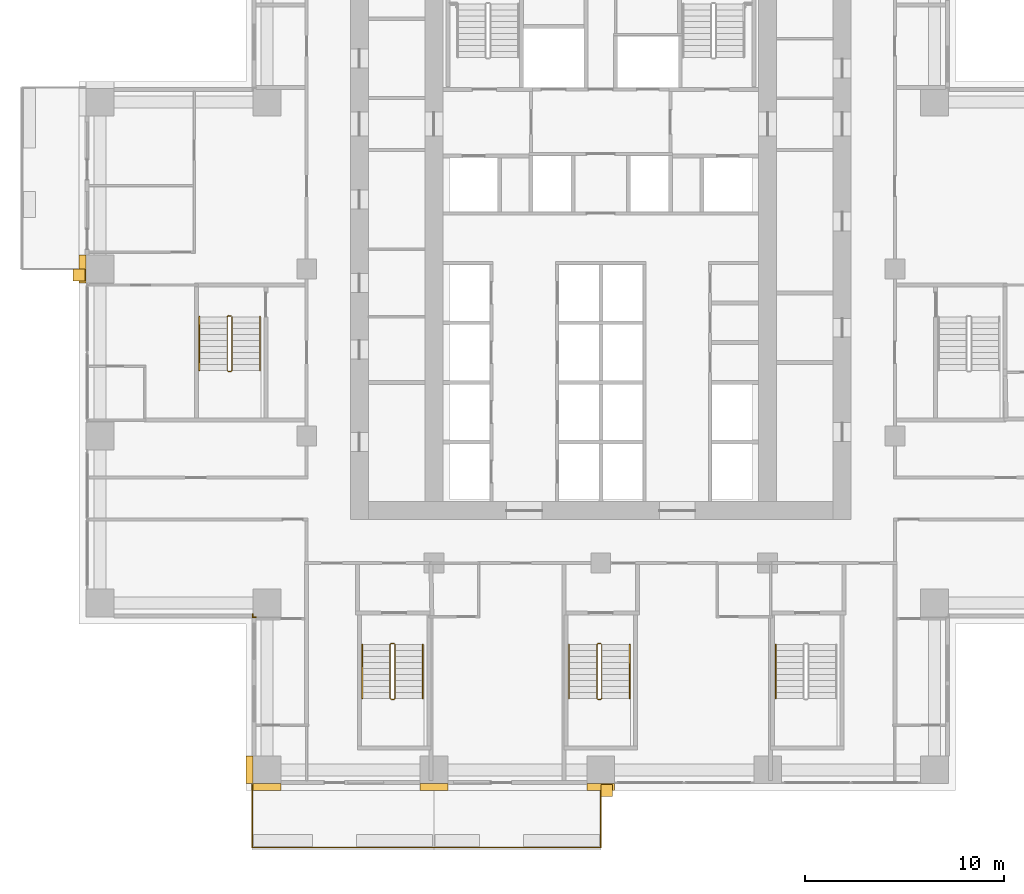
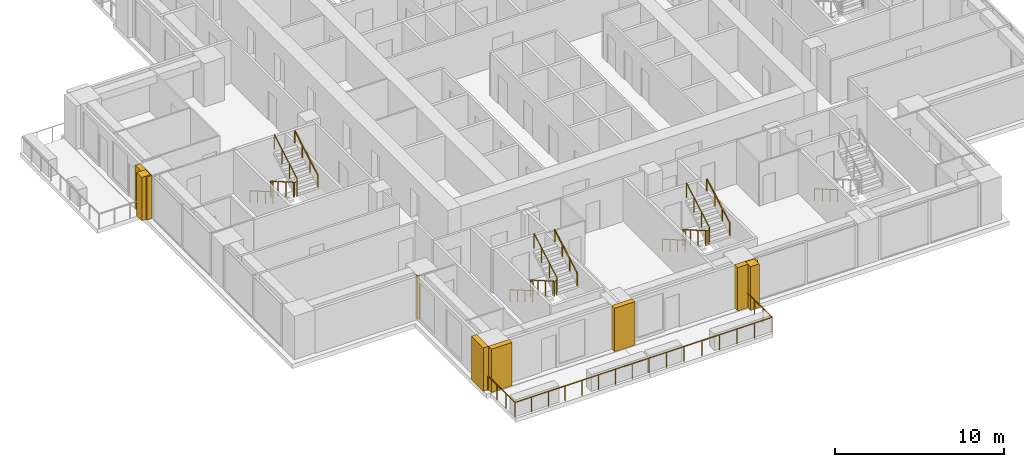
# One storey, part 13 of 16: 12 railings, 8 coverings.
"""IFC4 building model written with IfcOpenShell, lengths in metres."""

from ifc_helpers import new_model, si_unit, direction, frame, origin, origin_2d, place, context, subcontext, project, spatial, polyline, rectangle, outline, extrude, material, type_object, element, save


model = new_model("IFC4")

# Units and contexts
model_context = context("Model", 3, precision=1e-05, world=origin(), true_north=direction((0.0, 1.0)))
body_context = subcontext(model_context, "Body", "Model", "MODEL_VIEW")
ifc_project = project(units=[si_unit("LENGTHUNIT", "METRE"), si_unit("AREAUNIT", "SQUARE_METRE"), si_unit("VOLUMEUNIT", "CUBIC_METRE"), si_unit("PLANEANGLEUNIT", "RADIAN"), si_unit("MASSUNIT", "GRAM", prefix="KILO")], contexts=[model_context])

# Site, building, storey
site_placement = place(None, origin())
site = spatial("IfcSite", under=ifc_project, at=site_placement, CompositionType="ELEMENT")
building_placement = place(site_placement, origin())
building = spatial("IfcBuilding", under=site, at=building_placement, Name="Vermilion Ogive Tower", CompositionType="ELEMENT")
storey_placement = place(building_placement, frame((0.0, 0.0, 41.39990234375)))
storey = spatial("IfcBuildingStorey", under=building, at=storey_placement, Name="L08", CompositionType="ELEMENT", Elevation=41.39990234375)

# Railings
ifc_material_1 = material(Name="Stainless steel and glass", Category="steel")
railing_type_1 = type_object("IfcRailingType", Name="Balcony guard", PredefinedType="GUARDRAIL", material=ifc_material_1)
railing_1_placement = place(storey_placement, frame((-17.550048828125, -21.75, -0.039794921875)))
element("IfcRailing", 1, at=railing_1_placement, inside=storey, type_object=railing_type_1, Name="Guard S01", PredefinedType="GUARDRAIL", context=body_context, shape_type="SweptSolid", body=[
    extrude(rectangle(XDim=0.048095703125, YDim=0.048095703125, at=origin_2d()), frame((0.0, 0.0, 1.076171875), z_axis=(0.0, -1.0, 0.0), x_axis=(1.0, 0.0, 0.0)), (0.0, 0.0, 1.0), 3.159912109375),
    extrude(rectangle(XDim=0.048095703125, YDim=0.048095703125, at=origin_2d()), frame((0.0, -3.159912109375, 1.076171875), z_axis=(1.0, 0.0, 0.0), x_axis=(0.0, 1.0, 0.0)), (0.0, 0.0, 1.0), 9.150146484375),
    extrude(rectangle(XDim=0.0419921875, YDim=0.0419921875, at=origin_2d()), origin(), (0.0, 0.0, 1.0), 1.052001953125),
    extrude(rectangle(XDim=0.0419921875, YDim=0.0419921875, at=origin_2d()), frame((0.0, -1.05322265625, 0.0)), (0.0, 0.0, 1.0), 1.052001953125),
    extrude(rectangle(XDim=0.0419921875, YDim=0.0419921875, at=origin_2d()), frame((0.0, -2.106689453125, 0.0)), (0.0, 0.0, 1.0), 1.052001953125),
    extrude(rectangle(XDim=0.0419921875, YDim=0.0419921875, at=origin_2d()), frame((0.0, -3.159912109375, 0.0)), (0.0, 0.0, 1.0), 1.052001953125),
    extrude(rectangle(XDim=0.0419921875, YDim=0.0419921875, at=origin_2d()), frame((1.143798828125, -3.159912109375, 0.0)), (0.0, 0.0, 1.0), 1.052001953125),
    extrude(rectangle(XDim=0.0419921875, YDim=0.0419921875, at=origin_2d()), frame((2.28759765625, -3.159912109375, 0.0)), (0.0, 0.0, 1.0), 1.052001953125),
    extrude(rectangle(XDim=0.0419921875, YDim=0.0419921875, at=origin_2d()), frame((3.431396484375, -3.159912109375, 0.0)), (0.0, 0.0, 1.0), 1.052001953125),
    extrude(rectangle(XDim=0.0419921875, YDim=0.0419921875, at=origin_2d()), frame((4.5751953125, -3.159912109375, 0.0)), (0.0, 0.0, 1.0), 1.052001953125),
    extrude(rectangle(XDim=0.0419921875, YDim=0.0419921875, at=origin_2d()), frame((5.71875, -3.159912109375, 0.0)), (0.0, 0.0, 1.0), 1.052001953125),
    extrude(rectangle(XDim=0.0419921875, YDim=0.0419921875, at=origin_2d()), frame((6.862548828125, -3.159912109375, 0.0)), (0.0, 0.0, 1.0), 1.052001953125),
    extrude(rectangle(XDim=0.0419921875, YDim=0.0419921875, at=origin_2d()), frame((8.00634765625, -3.159912109375, 0.0)), (0.0, 0.0, 1.0), 1.052001953125),
    extrude(rectangle(XDim=0.0419921875, YDim=0.0419921875, at=origin_2d()), frame((9.150146484375, -3.159912109375, 0.0)), (0.0, 0.0, 1.0), 1.052001953125),
])
railing_2_placement = place(storey_placement, frame((-8.39990234375, -24.909912109375, -0.039794921875)))
element("IfcRailing", 2, at=railing_2_placement, inside=storey, type_object=railing_type_1, Name="Guard S02", PredefinedType="GUARDRAIL", context=body_context, shape_type="SweptSolid", body=[
    extrude(rectangle(XDim=0.048095703125, YDim=0.048095703125, at=origin_2d()), frame((0.0, 0.0, 1.076171875), z_axis=(1.0, 0.0, 0.0), x_axis=(0.0, 1.0, 0.0)), (0.0, 0.0, 1.0), 8.39990234375),
    extrude(rectangle(XDim=0.048095703125, YDim=0.048095703125, at=origin_2d()), frame((8.39990234375, 0.0, 1.076171875), z_axis=(0.0, 1.0, 0.0), x_axis=(-1.0, 0.0, 0.0)), (0.0, 0.0, 1.0), 3.159912109375),
    extrude(rectangle(XDim=0.0419921875, YDim=0.0419921875, at=origin_2d()), origin(), (0.0, 0.0, 1.0), 1.052001953125),
    extrude(rectangle(XDim=0.0419921875, YDim=0.0419921875, at=origin_2d()), frame((1.199951171875, 0.0, 0.0)), (0.0, 0.0, 1.0), 1.052001953125),
    extrude(rectangle(XDim=0.0419921875, YDim=0.0419921875, at=origin_2d()), frame((2.39990234375, 0.0, 0.0)), (0.0, 0.0, 1.0), 1.052001953125),
    extrude(rectangle(XDim=0.0419921875, YDim=0.0419921875, at=origin_2d()), frame((3.599853515625, 0.0, 0.0)), (0.0, 0.0, 1.0), 1.052001953125),
    extrude(rectangle(XDim=0.0419921875, YDim=0.0419921875, at=origin_2d()), frame((4.800048828125, 0.0, 0.0)), (0.0, 0.0, 1.0), 1.052001953125),
    extrude(rectangle(XDim=0.0419921875, YDim=0.0419921875, at=origin_2d()), frame((6.0, 0.0, 0.0)), (0.0, 0.0, 1.0), 1.052001953125),
    extrude(rectangle(XDim=0.0419921875, YDim=0.0419921875, at=origin_2d()), frame((7.199951171875, 0.0, 0.0)), (0.0, 0.0, 1.0), 1.052001953125),
    extrude(rectangle(XDim=0.0419921875, YDim=0.0419921875, at=origin_2d()), frame((8.39990234375, 0.0, 0.0)), (0.0, 0.0, 1.0), 1.052001953125),
    extrude(rectangle(XDim=0.0419921875, YDim=0.0419921875, at=origin_2d()), frame((8.39990234375, 1.05322265625, 0.0)), (0.0, 0.0, 1.0), 1.052001953125),
    extrude(rectangle(XDim=0.0419921875, YDim=0.0419921875, at=origin_2d()), frame((8.39990234375, 2.106689453125, 0.0)), (0.0, 0.0, 1.0), 1.052001953125),
    extrude(rectangle(XDim=0.0419921875, YDim=0.0419921875, at=origin_2d()), frame((8.39990234375, 3.159912109375, 0.0)), (0.0, 0.0, 1.0), 1.052001953125),
])
ifc_material_2 = material(Name="Steel S355 painted", Category="steel")
railing_type_2 = type_object("IfcRailingType", Name="Stair guard 1100", PredefinedType="GUARDRAIL", material=ifc_material_2)
railing_3_placement = place(storey_placement, frame((-10.39990234375, -14.64990234375, 0.0)))
element("IfcRailing", 3, at=railing_3_placement, inside=storey, type_object=railing_type_2, Name="L08 ST3 stair guard 4", PredefinedType="GUARDRAIL", context=body_context, shape_type="SweptSolid", body=[
    extrude(rectangle(XDim=0.048095703125, YDim=0.048095703125, at=origin_2d()), frame((0.0, 0.0, 1.076171875), z_axis=(-1.0, 0.0, 0.0), x_axis=(0.0, -1.0, 0.0)), (0.0, 0.0, 1.0), 0.150146484375),
    extrude(rectangle(XDim=0.048095703125, YDim=0.048095703125, at=origin_2d()), frame((-0.150146484375, 0.0, 1.076171875), z_axis=(-0.268277960024, -0.268277960024, 0.925231793839), x_axis=(0.707106781187, -0.707106781187, 0.0)), (0.0, 0.0, 1.0), 0.1865234375),
    extrude(rectangle(XDim=0.048095703125, YDim=0.048095703125, at=origin_2d()), frame((-0.2001953125, -0.050048828125, 1.24853515625), z_axis=(0.0, -0.866903762492, 0.498475542607), x_axis=(1.0, 0.0, 0.0)), (0.0, 0.0, 1.0), 3.114501953125),
    extrude(rectangle(XDim=0.048095703125, YDim=0.048095703125, at=origin_2d()), frame((-0.2001953125, -2.75, 2.80126953125), z_axis=(0.707106781187, -0.707106781187, 0.0), x_axis=(0.707106781187, 0.707106781187, 0.0)), (0.0, 0.0, 1.0), 0.07080078125),
    extrude(rectangle(XDim=0.048095703125, YDim=0.048095703125, at=origin_2d()), frame((-0.150146484375, -2.800048828125, 2.80126953125), z_axis=(1.0, 0.0, 0.0), x_axis=(0.0, 1.0, 0.0)), (0.0, 0.0, 1.0), 0.150146484375),
    extrude(rectangle(XDim=0.048095703125, YDim=0.048095703125, at=origin_2d()), frame((0.0, -2.800048828125, 2.80126953125), z_axis=(0.267062837333, 0.268371968888, 0.925556009775), x_axis=(-0.708833529934, 0.705375805398, 0.0)), (0.0, 0.0, 1.0), 0.1865234375),
    extrude(rectangle(XDim=0.048095703125, YDim=0.048095703125, at=origin_2d()), frame((0.0498046875, -2.75, 2.9736328125), z_axis=(0.0, 0.866903762492, 0.498475542607), x_axis=(-1.0, 0.0, 0.0)), (0.0, 0.0, 1.0), 3.114501953125),
    extrude(rectangle(XDim=0.0419921875, YDim=0.0419921875, at=origin_2d()), origin(), (0.0, 0.0, 1.0), 1.052001953125),
    extrude(rectangle(XDim=0.0419921875, YDim=0.0419921875, at=origin_2d()), frame((-0.150146484375, 0.0, 0.0)), (0.0, 0.0, 1.0), 1.052001953125),
    extrude(rectangle(XDim=0.0419921875, YDim=0.0419921875, at=origin_2d()), frame((-0.2001953125, -0.050048828125, 0.172607421875)), (0.0, 0.0, 1.0), 1.052001953125),
    extrude(rectangle(XDim=0.0419921875, YDim=0.0419921875, at=origin_2d()), frame((-0.2001953125, -0.949951171875, 0.690185546875)), (0.0, 0.0, 1.0), 1.052001953125),
    extrude(rectangle(XDim=0.0419921875, YDim=0.0419921875, at=origin_2d()), frame((-0.2001953125, -1.85009765625, 1.20751953125)), (0.0, 0.0, 1.0), 1.052001953125),
    extrude(rectangle(XDim=0.0419921875, YDim=0.0419921875, at=origin_2d()), frame((-0.2001953125, -2.75, 1.72509765625)), (0.0, 0.0, 1.0), 1.052001953125),
    extrude(rectangle(XDim=0.0419921875, YDim=0.0419921875, at=origin_2d()), frame((-0.150146484375, -2.800048828125, 1.72509765625)), (0.0, 0.0, 1.0), 1.052001953125),
    extrude(rectangle(XDim=0.0419921875, YDim=0.0419921875, at=origin_2d()), frame((0.0, -2.800048828125, 1.72509765625)), (0.0, 0.0, 1.0), 1.052001953125),
    extrude(rectangle(XDim=0.0419921875, YDim=0.0419921875, at=origin_2d()), frame((0.0498046875, -2.75, 1.897705078125)), (0.0, 0.0, 1.0), 1.052001953125),
    extrude(rectangle(XDim=0.0419921875, YDim=0.0419921875, at=origin_2d()), frame((0.0498046875, -1.85009765625, 2.415283203125)), (0.0, 0.0, 1.0), 1.052001953125),
    extrude(rectangle(XDim=0.0419921875, YDim=0.0419921875, at=origin_2d()), frame((0.0498046875, -0.949951171875, 2.9326171875)), (0.0, 0.0, 1.0), 1.052001953125),
    extrude(rectangle(XDim=0.0419921875, YDim=0.0419921875, at=origin_2d()), frame((0.0498046875, -0.050048828125, 3.4501953125)), (0.0, 0.0, 1.0), 1.052001953125),
])
railing_4_placement = place(storey_placement, frame((0.0, -14.64990234375, 0.0)))
element("IfcRailing", 4, at=railing_4_placement, inside=storey, type_object=railing_type_2, Name="L08 ST4 stair guard 4", PredefinedType="GUARDRAIL", context=body_context, shape_type="SweptSolid", body=[
    extrude(rectangle(XDim=0.048095703125, YDim=0.048095703125, at=origin_2d()), frame((0.0, 0.0, 1.076171875), z_axis=(-1.0, 0.0, 0.0), x_axis=(0.0, -1.0, 0.0)), (0.0, 0.0, 1.0), 0.14990234375),
    extrude(rectangle(XDim=0.048095703125, YDim=0.048095703125, at=origin_2d()), frame((-0.14990234375, 0.0, 1.076171875), z_axis=(-0.268277960024, -0.268277960024, 0.925231793839), x_axis=(0.707106781187, -0.707106781187, 0.0)), (0.0, 0.0, 1.0), 0.1865234375),
    extrude(rectangle(XDim=0.048095703125, YDim=0.048095703125, at=origin_2d()), frame((-0.199951171875, -0.050048828125, 1.24853515625), z_axis=(0.0, -0.866903762492, 0.498475542607), x_axis=(1.0, 0.0, 0.0)), (0.0, 0.0, 1.0), 3.114501953125),
    extrude(rectangle(XDim=0.048095703125, YDim=0.048095703125, at=origin_2d()), frame((-0.199951171875, -2.75, 2.80126953125), z_axis=(0.707106781187, -0.707106781187, 0.0), x_axis=(0.707106781187, 0.707106781187, 0.0)), (0.0, 0.0, 1.0), 0.07080078125),
    extrude(rectangle(XDim=0.048095703125, YDim=0.048095703125, at=origin_2d()), frame((-0.14990234375, -2.800048828125, 2.80126953125), z_axis=(1.0, 0.0, 0.0), x_axis=(0.0, 1.0, 0.0)), (0.0, 0.0, 1.0), 0.14990234375),
    extrude(rectangle(XDim=0.048095703125, YDim=0.048095703125, at=origin_2d()), frame((0.0, -2.800048828125, 2.80126953125), z_axis=(0.268277960024, 0.268277960024, 0.925231793839), x_axis=(-0.707106781187, 0.707106781187, 0.0)), (0.0, 0.0, 1.0), 0.1865234375),
    extrude(rectangle(XDim=0.048095703125, YDim=0.048095703125, at=origin_2d()), frame((0.050048828125, -2.75, 2.9736328125), z_axis=(0.0, 0.866903762492, 0.498475542607), x_axis=(-1.0, 0.0, 0.0)), (0.0, 0.0, 1.0), 3.114501953125),
    extrude(rectangle(XDim=0.0419921875, YDim=0.0419921875, at=origin_2d()), origin(), (0.0, 0.0, 1.0), 1.052001953125),
    extrude(rectangle(XDim=0.0419921875, YDim=0.0419921875, at=origin_2d()), frame((-0.14990234375, 0.0, 0.0)), (0.0, 0.0, 1.0), 1.052001953125),
    extrude(rectangle(XDim=0.0419921875, YDim=0.0419921875, at=origin_2d()), frame((-0.199951171875, -0.050048828125, 0.172607421875)), (0.0, 0.0, 1.0), 1.052001953125),
    extrude(rectangle(XDim=0.0419921875, YDim=0.0419921875, at=origin_2d()), frame((-0.199951171875, -0.949951171875, 0.690185546875)), (0.0, 0.0, 1.0), 1.052001953125),
    extrude(rectangle(XDim=0.0419921875, YDim=0.0419921875, at=origin_2d()), frame((-0.199951171875, -1.85009765625, 1.20751953125)), (0.0, 0.0, 1.0), 1.052001953125),
    extrude(rectangle(XDim=0.0419921875, YDim=0.0419921875, at=origin_2d()), frame((-0.199951171875, -2.75, 1.72509765625)), (0.0, 0.0, 1.0), 1.052001953125),
    extrude(rectangle(XDim=0.0419921875, YDim=0.0419921875, at=origin_2d()), frame((-0.14990234375, -2.800048828125, 1.72509765625)), (0.0, 0.0, 1.0), 1.052001953125),
    extrude(rectangle(XDim=0.0419921875, YDim=0.0419921875, at=origin_2d()), frame((0.0, -2.800048828125, 1.72509765625)), (0.0, 0.0, 1.0), 1.052001953125),
    extrude(rectangle(XDim=0.0419921875, YDim=0.0419921875, at=origin_2d()), frame((0.050048828125, -2.75, 1.897705078125)), (0.0, 0.0, 1.0), 1.052001953125),
    extrude(rectangle(XDim=0.0419921875, YDim=0.0419921875, at=origin_2d()), frame((0.050048828125, -1.85009765625, 2.415283203125)), (0.0, 0.0, 1.0), 1.052001953125),
    extrude(rectangle(XDim=0.0419921875, YDim=0.0419921875, at=origin_2d()), frame((0.050048828125, -0.949951171875, 2.9326171875)), (0.0, 0.0, 1.0), 1.052001953125),
    extrude(rectangle(XDim=0.0419921875, YDim=0.0419921875, at=origin_2d()), frame((0.050048828125, -0.050048828125, 3.4501953125)), (0.0, 0.0, 1.0), 1.052001953125),
])
railing_5_placement = place(storey_placement, frame((-18.60009765625, 1.85009765625, 0.0)))
element("IfcRailing", 5, at=railing_5_placement, inside=storey, type_object=railing_type_2, Name="L08 ST9 stair guard 4", PredefinedType="GUARDRAIL", context=body_context, shape_type="SweptSolid", body=[
    extrude(rectangle(XDim=0.048095703125, YDim=0.048095703125, at=origin_2d()), frame((0.0, 0.0, 1.076171875), z_axis=(-1.0, 0.0, 0.0), x_axis=(0.0, -1.0, 0.0)), (0.0, 0.0, 1.0), 0.14990234375),
    extrude(rectangle(XDim=0.048095703125, YDim=0.048095703125, at=origin_2d()), frame((-0.14990234375, 0.0, 1.076171875), z_axis=(-0.268277960024, -0.268277960024, 0.925231793839), x_axis=(0.707106781187, -0.707106781187, 0.0)), (0.0, 0.0, 1.0), 0.1865234375),
    extrude(rectangle(XDim=0.048095703125, YDim=0.048095703125, at=origin_2d()), frame((-0.199951171875, -0.050048828125, 1.24853515625), z_axis=(0.0, -0.866903762492, 0.498475542607), x_axis=(1.0, 0.0, 0.0)), (0.0, 0.0, 1.0), 3.114501953125),
    extrude(rectangle(XDim=0.048095703125, YDim=0.048095703125, at=origin_2d()), frame((-0.199951171875, -2.75, 2.80126953125), z_axis=(0.707106781187, -0.707106781187, 0.0), x_axis=(0.707106781187, 0.707106781187, 0.0)), (0.0, 0.0, 1.0), 0.07080078125),
    extrude(rectangle(XDim=0.048095703125, YDim=0.048095703125, at=origin_2d()), frame((-0.14990234375, -2.800048828125, 2.80126953125), z_axis=(1.0, 0.0, 0.0), x_axis=(0.0, 1.0, 0.0)), (0.0, 0.0, 1.0), 0.14990234375),
    extrude(rectangle(XDim=0.048095703125, YDim=0.048095703125, at=origin_2d()), frame((0.0, -2.800048828125, 2.80126953125), z_axis=(0.268277960024, 0.268277960024, 0.925231793839), x_axis=(-0.707106781187, 0.707106781187, 0.0)), (0.0, 0.0, 1.0), 0.1865234375),
    extrude(rectangle(XDim=0.048095703125, YDim=0.048095703125, at=origin_2d()), frame((0.050048828125, -2.75, 2.9736328125), z_axis=(0.0, 0.866903762492, 0.498475542607), x_axis=(-1.0, 0.0, 0.0)), (0.0, 0.0, 1.0), 3.114501953125),
    extrude(rectangle(XDim=0.0419921875, YDim=0.0419921875, at=origin_2d()), origin(), (0.0, 0.0, 1.0), 1.052001953125),
    extrude(rectangle(XDim=0.0419921875, YDim=0.0419921875, at=origin_2d()), frame((-0.14990234375, 0.0, 0.0)), (0.0, 0.0, 1.0), 1.052001953125),
    extrude(rectangle(XDim=0.0419921875, YDim=0.0419921875, at=origin_2d()), frame((-0.199951171875, -0.050048828125, 0.172607421875)), (0.0, 0.0, 1.0), 1.052001953125),
    extrude(rectangle(XDim=0.0419921875, YDim=0.0419921875, at=origin_2d()), frame((-0.199951171875, -0.949951171875, 0.690185546875)), (0.0, 0.0, 1.0), 1.052001953125),
    extrude(rectangle(XDim=0.0419921875, YDim=0.0419921875, at=origin_2d()), frame((-0.199951171875, -1.85009765625, 1.20751953125)), (0.0, 0.0, 1.0), 1.052001953125),
    extrude(rectangle(XDim=0.0419921875, YDim=0.0419921875, at=origin_2d()), frame((-0.199951171875, -2.75, 1.72509765625)), (0.0, 0.0, 1.0), 1.052001953125),
    extrude(rectangle(XDim=0.0419921875, YDim=0.0419921875, at=origin_2d()), frame((-0.14990234375, -2.800048828125, 1.72509765625)), (0.0, 0.0, 1.0), 1.052001953125),
    extrude(rectangle(XDim=0.0419921875, YDim=0.0419921875, at=origin_2d()), frame((0.0, -2.800048828125, 1.72509765625)), (0.0, 0.0, 1.0), 1.052001953125),
    extrude(rectangle(XDim=0.0419921875, YDim=0.0419921875, at=origin_2d()), frame((0.050048828125, -2.75, 1.897705078125)), (0.0, 0.0, 1.0), 1.052001953125),
    extrude(rectangle(XDim=0.0419921875, YDim=0.0419921875, at=origin_2d()), frame((0.050048828125, -1.85009765625, 2.415283203125)), (0.0, 0.0, 1.0), 1.052001953125),
    extrude(rectangle(XDim=0.0419921875, YDim=0.0419921875, at=origin_2d()), frame((0.050048828125, -0.949951171875, 2.9326171875)), (0.0, 0.0, 1.0), 1.052001953125),
    extrude(rectangle(XDim=0.0419921875, YDim=0.0419921875, at=origin_2d()), frame((0.050048828125, -0.050048828125, 3.4501953125)), (0.0, 0.0, 1.0), 1.052001953125),
])
ifc_material_3 = material(Name="Stainless steel", Category="steel")
railing_type_3 = type_object("IfcRailingType", Name="Stair handrail 900", PredefinedType="HANDRAIL", material=ifc_material_3)
railing_6_placement = place(storey_placement, frame((-12.0, -14.699951171875, 0.172607421875)))
element("IfcRailing", 6, at=railing_6_placement, inside=storey, type_object=railing_type_3, Name="L08 ST3 stair handrail 1", PredefinedType="HANDRAIL", context=body_context, shape_type="SweptSolid", body=[
    extrude(rectangle(XDim=0.048095703125, YDim=0.048095703125, at=origin_2d()), frame((0.0, 0.0, 0.8759765625), z_axis=(0.0, -0.866903762492, 0.498475542607), x_axis=(1.0, 0.0, 0.0)), (0.0, 0.0, 1.0), 3.114501953125),
    extrude(rectangle(XDim=0.0419921875, YDim=0.0419921875, at=origin_2d()), origin(), (0.0, 0.0, 1.0), 0.851806640625),
    extrude(rectangle(XDim=0.0419921875, YDim=0.0419921875, at=origin_2d()), frame((0.0, -0.89990234375, 0.517578125)), (0.0, 0.0, 1.0), 0.851806640625),
    extrude(rectangle(XDim=0.0419921875, YDim=0.0419921875, at=origin_2d()), frame((0.0, -1.800048828125, 1.034912109375)), (0.0, 0.0, 1.0), 0.851806640625),
    extrude(rectangle(XDim=0.0419921875, YDim=0.0419921875, at=origin_2d()), frame((0.0, -2.699951171875, 1.552490234375)), (0.0, 0.0, 1.0), 0.851806640625),
])
railing_7_placement = place(storey_placement, frame((-8.949951171875, -17.39990234375, 1.897705078125)))
element("IfcRailing", 7, at=railing_7_placement, inside=storey, type_object=railing_type_3, Name="L08 ST3 stair handrail 2", PredefinedType="HANDRAIL", context=body_context, shape_type="SweptSolid", body=[
    extrude(rectangle(XDim=0.048095703125, YDim=0.048095703125, at=origin_2d()), frame((0.0, 0.0, 0.8759765625), z_axis=(0.0, 0.866903762492, 0.498475542607), x_axis=(-1.0, 0.0, 0.0)), (0.0, 0.0, 1.0), 3.114501953125),
    extrude(rectangle(XDim=0.0419921875, YDim=0.0419921875, at=origin_2d()), origin(), (0.0, 0.0, 1.0), 0.851806640625),
    extrude(rectangle(XDim=0.0419921875, YDim=0.0419921875, at=origin_2d()), frame((0.0, 0.89990234375, 0.517578125)), (0.0, 0.0, 1.0), 0.851806640625),
    extrude(rectangle(XDim=0.0419921875, YDim=0.0419921875, at=origin_2d()), frame((0.0, 1.800048828125, 1.034912109375)), (0.0, 0.0, 1.0), 0.851806640625),
    extrude(rectangle(XDim=0.0419921875, YDim=0.0419921875, at=origin_2d()), frame((0.0, 2.699951171875, 1.552490234375)), (0.0, 0.0, 1.0), 0.851806640625),
])
railing_8_placement = place(storey_placement, frame((-1.60009765625, -14.699951171875, 0.172607421875)))
element("IfcRailing", 8, at=railing_8_placement, inside=storey, type_object=railing_type_3, Name="L08 ST4 stair handrail 1", PredefinedType="HANDRAIL", context=body_context, shape_type="SweptSolid", body=[
    extrude(rectangle(XDim=0.048095703125, YDim=0.048095703125, at=origin_2d()), frame((0.0, 0.0, 0.8759765625), z_axis=(0.0, -0.866903762492, 0.498475542607), x_axis=(1.0, 0.0, 0.0)), (0.0, 0.0, 1.0), 3.114501953125),
    extrude(rectangle(XDim=0.0419921875, YDim=0.0419921875, at=origin_2d()), origin(), (0.0, 0.0, 1.0), 0.851806640625),
    extrude(rectangle(XDim=0.0419921875, YDim=0.0419921875, at=origin_2d()), frame((0.0, -0.89990234375, 0.517578125)), (0.0, 0.0, 1.0), 0.851806640625),
    extrude(rectangle(XDim=0.0419921875, YDim=0.0419921875, at=origin_2d()), frame((0.0, -1.800048828125, 1.034912109375)), (0.0, 0.0, 1.0), 0.851806640625),
    extrude(rectangle(XDim=0.0419921875, YDim=0.0419921875, at=origin_2d()), frame((0.0, -2.699951171875, 1.552490234375)), (0.0, 0.0, 1.0), 0.851806640625),
])
railing_9_placement = place(storey_placement, frame((1.449951171875, -17.39990234375, 1.897705078125)))
element("IfcRailing", 9, at=railing_9_placement, inside=storey, type_object=railing_type_3, Name="L08 ST4 stair handrail 2", PredefinedType="HANDRAIL", context=body_context, shape_type="SweptSolid", body=[
    extrude(rectangle(XDim=0.048095703125, YDim=0.048095703125, at=origin_2d()), frame((0.0, 0.0, 0.8759765625), z_axis=(0.0, 0.866903762492, 0.498475542607), x_axis=(-1.0, 0.0, 0.0)), (0.0, 0.0, 1.0), 3.114501953125),
    extrude(rectangle(XDim=0.0419921875, YDim=0.0419921875, at=origin_2d()), origin(), (0.0, 0.0, 1.0), 0.851806640625),
    extrude(rectangle(XDim=0.0419921875, YDim=0.0419921875, at=origin_2d()), frame((0.0, 0.89990234375, 0.517578125)), (0.0, 0.0, 1.0), 0.851806640625),
    extrude(rectangle(XDim=0.0419921875, YDim=0.0419921875, at=origin_2d()), frame((0.0, 1.800048828125, 1.034912109375)), (0.0, 0.0, 1.0), 0.851806640625),
    extrude(rectangle(XDim=0.0419921875, YDim=0.0419921875, at=origin_2d()), frame((0.0, 2.699951171875, 1.552490234375)), (0.0, 0.0, 1.0), 0.851806640625),
])
for number, where, name in (
    (10, (8.800048828125, -14.699951171875, 0.172607421875), "L08 ST5 stair handrail 1"),
    (11, (-20.199951171875, 1.800048828125, 0.172607421875), "L08 ST9 stair handrail 1"),
):
    element("IfcRailing", number, at=place(storey_placement, frame(where)), inside=storey, type_object=railing_type_3, Name=name, PredefinedType="HANDRAIL", context=body_context, shape_type="SweptSolid", body=[
        extrude(rectangle(XDim=0.048095703125, YDim=0.048095703125, at=origin_2d()), frame((0.0, 0.0, 0.8759765625), z_axis=(0.0, -0.866903762492, 0.498475542607), x_axis=(1.0, 0.0, 0.0)), (0.0, 0.0, 1.0), 3.114501953125),
        extrude(rectangle(XDim=0.0419921875, YDim=0.0419921875, at=origin_2d()), origin(), (0.0, 0.0, 1.0), 0.851806640625),
        extrude(rectangle(XDim=0.0419921875, YDim=0.0419921875, at=origin_2d()), frame((0.0, -0.89990234375, 0.517578125)), (0.0, 0.0, 1.0), 0.851806640625),
        extrude(rectangle(XDim=0.0419921875, YDim=0.0419921875, at=origin_2d()), frame((0.0, -1.800048828125, 1.034912109375)), (0.0, 0.0, 1.0), 0.851806640625),
        extrude(rectangle(XDim=0.0419921875, YDim=0.0419921875, at=origin_2d()), frame((0.0, -2.699951171875, 1.552490234375)), (0.0, 0.0, 1.0), 0.851806640625),
    ])
railing_10_placement = place(storey_placement, frame((-17.14990234375, -0.89990234375, 1.897705078125)))
element("IfcRailing", 12, at=railing_10_placement, inside=storey, type_object=railing_type_3, Name="L08 ST9 stair handrail 2", PredefinedType="HANDRAIL", context=body_context, shape_type="SweptSolid", body=[
    extrude(rectangle(XDim=0.048095703125, YDim=0.048095703125, at=origin_2d()), frame((0.0, 0.0, 0.8759765625), z_axis=(0.0, 0.866903762492, 0.498475542607), x_axis=(-1.0, 0.0, 0.0)), (0.0, 0.0, 1.0), 3.114501953125),
    extrude(rectangle(XDim=0.0419921875, YDim=0.0419921875, at=origin_2d()), origin(), (0.0, 0.0, 1.0), 0.851806640625),
    extrude(rectangle(XDim=0.0419921875, YDim=0.0419921875, at=origin_2d()), frame((0.0, 0.89990234375, 0.517578125)), (0.0, 0.0, 1.0), 0.851806640625),
    extrude(rectangle(XDim=0.0419921875, YDim=0.0419921875, at=origin_2d()), frame((0.0, 1.800048828125, 1.034912109375)), (0.0, 0.0, 1.0), 0.851806640625),
    extrude(rectangle(XDim=0.0419921875, YDim=0.0419921875, at=origin_2d()), frame((0.0, 2.699951171875, 1.552490234375)), (0.0, 0.0, 1.0), 0.851806640625),
])

# Coverings
ifc_material_4 = material(Name="Stone cladding", Category="masonry")
covering_type_1 = type_object("IfcCoveringType", Name="Stone corner buttress", PredefinedType="CLADDING", material=ifc_material_4)
covering_1_placement = place(storey_placement, origin())
element("IfcCovering", 13, at=covering_1_placement, inside=storey, type_object=covering_type_1, Name="Stone crease pier SK", PredefinedType="CLADDING", context=body_context, shape_type="SweptSolid", body=[
    extrude(outline(polyline([(0.0, -22.35009765625), (0.60009765625, -22.35009765625), (0.60009765625, -21.75), (0.0, -21.75), (0.0, -22.35009765625)])), origin(), (0.0, 0.0, 1.0), 3.130126953125),
])
covering_2_placement = place(storey_placement, origin())
element("IfcCovering", 14, at=covering_2_placement, inside=storey, type_object=covering_type_1, Name="Stone crease pier WK", PredefinedType="CLADDING", context=body_context, shape_type="SweptSolid", body=[
    extrude(outline(polyline([(-26.550048828125, 4.199951171875), (-26.550048828125, 3.60009765625), (-25.949951171875, 3.60009765625), (-25.949951171875, 4.199951171875), (-26.550048828125, 4.199951171875)])), origin(), (0.0, 0.0, 1.0), 3.130126953125),
])
ifc_material_5 = material(Name="Stone cladding", Category="masonry")
covering_type_2 = type_object("IfcCoveringType", Name="Stone pier", PredefinedType="CLADDING", material=ifc_material_5)
covering_3_placement = place(storey_placement, origin())
element("IfcCovering", 15, at=covering_3_placement, inside=storey, type_object=covering_type_2, Name="Stone corner pier X7E1", PredefinedType="CLADDING", context=body_context, shape_type="SweptSolid", body=[
    extrude(outline(polyline([(-17.5, -13.14990234375), (-17.5, -13.300048828125), (-17.35009765625, -13.300048828125), (-17.35009765625, -13.35009765625), (-17.550048828125, -13.35009765625), (-17.550048828125, -13.14990234375), (-17.5, -13.14990234375)])), origin(), (0.0, 0.0, 1.0), 3.130126953125),
])
covering_4_placement = place(storey_placement, origin())
element("IfcCovering", 16, at=covering_4_placement, inside=storey, type_object=covering_type_2, Name="Stone pier P+0000-210", PredefinedType="CLADDING", context=body_context, shape_type="SweptSolid", body=[
    extrude(outline(polyline([(0.699951171875, -22.050048828125), (0.60009765625, -22.050048828125), (0.60009765625, -21.75), (0.0, -21.75), (0.0, -22.050048828125), (-0.699951171875, -22.050048828125), (-0.699951171875, -21.699951171875), (0.699951171875, -21.699951171875), (0.699951171875, -22.050048828125)])), origin(), (0.0, 0.0, 1.0), 3.130126953125),
])
covering_5_placement = place(storey_placement, origin())
element("IfcCovering", 17, at=covering_5_placement, inside=storey, type_object=covering_type_2, Name="Stone pier P-0084-210", PredefinedType="CLADDING", context=body_context, shape_type="SweptSolid", body=[
    extrude(outline(polyline([(-7.699951171875, -22.050048828125), (-9.10009765625, -22.050048828125), (-9.10009765625, -21.699951171875), (-7.699951171875, -21.699951171875), (-7.699951171875, -22.050048828125)])), origin(), (0.0, 0.0, 1.0), 3.130126953125),
])
covering_6_placement = place(storey_placement, origin())
element("IfcCovering", 18, at=covering_6_placement, inside=storey, type_object=covering_type_2, Name="Stone pier P-0168-210S", PredefinedType="CLADDING", context=body_context, shape_type="SweptSolid", body=[
    extrude(outline(polyline([(-16.10009765625, -22.050048828125), (-17.5, -22.050048828125), (-17.5, -21.699951171875), (-16.10009765625, -21.699951171875), (-16.10009765625, -22.050048828125)])), origin(), (0.0, 0.0, 1.0), 3.130126953125),
])
covering_7_placement = place(storey_placement, origin())
element("IfcCovering", 19, at=covering_7_placement, inside=storey, type_object=covering_type_2, Name="Stone pier P-0168-210X8", PredefinedType="CLADDING", context=body_context, shape_type="SweptSolid", body=[
    extrude(outline(polyline([(-17.85009765625, -20.300048828125), (-17.5, -20.300048828125), (-17.5, -21.699951171875), (-17.85009765625, -21.699951171875), (-17.85009765625, -20.300048828125)])), origin(), (0.0, 0.0, 1.0), 3.130126953125),
])
covering_8_placement = place(storey_placement, origin())
element("IfcCovering", 20, at=covering_8_placement, inside=storey, type_object=covering_type_2, Name="Stone pier P-0252+042", PredefinedType="CLADDING", context=body_context, shape_type="SweptSolid", body=[
    extrude(outline(polyline([(-26.25, 3.5), (-26.25, 3.60009765625), (-25.949951171875, 3.60009765625), (-25.949951171875, 4.199951171875), (-26.25, 4.199951171875), (-26.25, 4.89990234375), (-25.89990234375, 4.89990234375), (-25.89990234375, 3.5), (-26.25, 3.5)])), origin(), (0.0, 0.0, 1.0), 3.130126953125),
])

save(model, "model.ifc")
